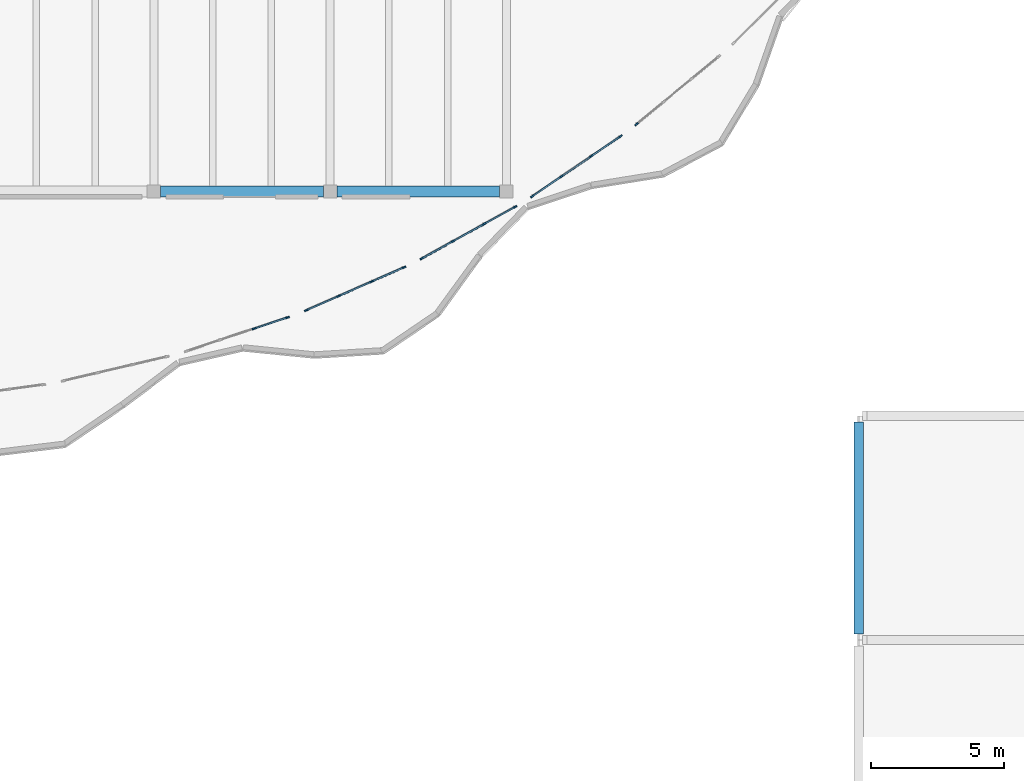
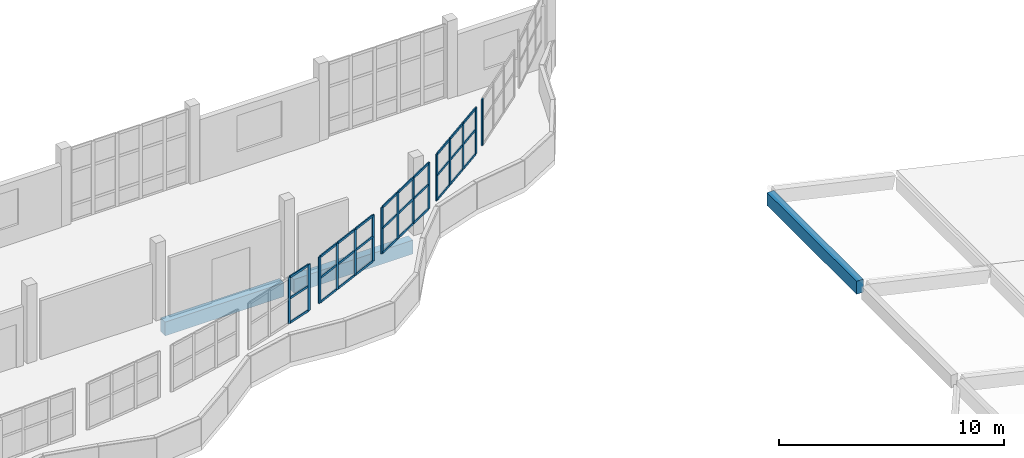
# One storey, part 21 of 47: 45 members, 3 beams, 5 elements without a shape of their own.
"""IFC4 building model written with IfcOpenShell, lengths in metres."""

from ifc_helpers import new_model, si_unit, direction, frame, origin, origin_2d, place, context, subcontext, project, spatial, rectangle, extrude, material, material_profile, profile_set, type_object, element, aggregate, save


model = new_model("IFC4")

# Units and contexts
model_context = context("Model", 3, precision=1e-05, world=origin(), true_north=direction((0.0, 1.0)))
body_context = subcontext(model_context, "Body", "Model", "MODEL_VIEW")
ifc_project = project(units=[si_unit("LENGTHUNIT", "METRE"), si_unit("AREAUNIT", "SQUARE_METRE"), si_unit("VOLUMEUNIT", "CUBIC_METRE"), si_unit("PLANEANGLEUNIT", "RADIAN"), si_unit("MASSUNIT", "GRAM", prefix="KILO")], contexts=[model_context])

# Site, building, storey
site_placement = place(None, origin())
site = spatial("IfcSite", under=ifc_project, at=site_placement, CompositionType="ELEMENT")
building_placement = place(site_placement, origin())
building = spatial("IfcBuilding", under=site, at=building_placement, Name="Qaldarim Faculty of Natural and Applied Sciences", CompositionType="ELEMENT")
storey_placement = place(building_placement, frame((0.0, 0.0, 22.800048828125)))
storey = spatial("IfcBuildingStorey", under=building, at=storey_placement, Name="L05", CompositionType="ELEMENT", Elevation=22.800048828125)

# Beams
ifc_material_1 = material(Name="Concrete C50/60", Category="concrete")
ifc_material_profile_1 = material_profile(ifc_material_1, rectangle(XDim=0.39990234375, YDim=0.75, at=origin_2d()), Name="RC-B400x750")
ifc_profile_set_1 = profile_set([ifc_material_profile_1], Name="Concrete C50/60")
beam_type_1 = type_object("IfcBeamType", Name="LabGirder-RC400x750", PredefinedType="BEAM", material=ifc_profile_set_1)
for number, where, z_axis, x_axis, name in (
    (1, (125.64990234375, 109.199951171875, -0.635009765625), (1.0, 0.0, 0.0), (0.0, 1.0, 0.0), "Beam RC-B400x750 L04 X20-X21/Y14"),
    (2, (132.25, 109.199951171875, -0.635009765625), (1.0, 0.0, 0.0), (0.0, 1.0, 0.0), "Beam RC-B400x750 L04 X21-X22/Y14"),
):
    element("IfcBeam", number, at=place(storey_placement, frame(where, z_axis=z_axis, x_axis=x_axis)), inside=storey, type_object=beam_type_1, Name=name, PredefinedType="BEAM", context=body_context, shape_type="SweptSolid", body=[
        extrude(rectangle(XDim=0.39990234375, YDim=0.75, at=origin_2d()), origin(), (0.0, 0.0, 1.0), 6.10009765625),
    ])

# Curtain wall, members
ifc_material_2 = material(Name="Anodised aluminium AW-6063", Category="aluminium")
curtain_wall_type = type_object("IfcCurtainWallType", Name="CurtainWallSystem-M1400", PredefinedType="USERDEFINED", material=ifc_material_2)
curtain_wall_1_placement = place(storey_placement, origin())
curtain_wall_1 = element("IfcCurtainWall", 3, at=curtain_wall_1_placement, inside=storey, type_object=curtain_wall_type, Name="Curtain wall CW-V4ARC-L05-06", ObjectType="STICK CURTAIN WALL", PredefinedType="USERDEFINED")
ifc_material_profile_2 = material_profile(ifc_material_2, rectangle(XDim=0.06005859375, YDim=0.14990234375, at=origin_2d()), Name="ALU-M60x150")
ifc_profile_set_2 = profile_set([ifc_material_profile_2], Name="Anodised aluminium AW-6063")
member_type_1 = type_object("IfcMemberType", Name="Mullion-ALU60x150", PredefinedType="MULLION", material=ifc_profile_set_2)
member_1_placement = place(storey_placement, frame((129.151611328125, 104.063232421875, 1.449951171875), z_axis=(0.0, 0.0, 1.0), x_axis=(-0.316592858196, 0.94856152259, 0.0)))
member_1 = element("IfcMember", 4, at=member_1_placement, type_object=member_type_1, Name="Mullion 3 of CW-V4ARC-L05-06", PredefinedType="MULLION", context=body_context, shape_type="SweptSolid", body=[
    extrude(rectangle(XDim=0.06005859375, YDim=0.14990234375, at=origin_2d()), origin(), (0.0, 0.0, 1.0), 2.510009765625),
])
member_2_placement = place(storey_placement, frame((130.401611328125, 104.48046875, 1.449951171875), z_axis=(0.0, 0.0, 1.0), x_axis=(-0.316592858196, 0.94856152259, 0.0)))
member_2 = element("IfcMember", 5, at=member_2_placement, type_object=member_type_1, Name="Mullion 4 of CW-V4ARC-L05-06", PredefinedType="MULLION", context=body_context, shape_type="SweptSolid", body=[
    extrude(rectangle(XDim=0.06005859375, YDim=0.14990234375, at=origin_2d()), origin(), (0.0, 0.0, 1.0), 2.510009765625),
])

curtain_wall_2_placement = place(storey_placement, origin())
curtain_wall_2 = element("IfcCurtainWall", 6, at=curtain_wall_2_placement, inside=storey, type_object=curtain_wall_type, Name="Curtain wall CW-V4ARC-L05-08", ObjectType="STICK CURTAIN WALL", PredefinedType="USERDEFINED")
member_3_placement = place(storey_placement, frame((131.112548828125, 104.752197265625, 1.449951171875), z_axis=(0.0, 0.0, 1.0), x_axis=(-0.40269876371, 0.915332565632, 0.0)))
member_3 = element("IfcMember", 7, at=member_3_placement, type_object=member_type_1, Name="Mullion 1 of CW-V4ARC-L05-08", PredefinedType="MULLION", context=body_context, shape_type="SweptSolid", body=[
    extrude(rectangle(XDim=0.06005859375, YDim=0.14990234375, at=origin_2d()), origin(), (0.0, 0.0, 1.0), 2.510009765625),
])
member_4_placement = place(storey_placement, frame((132.320068359375, 105.283203125, 1.449951171875), z_axis=(0.0, 0.0, 1.0), x_axis=(-0.40269876371, 0.915332565632, 0.0)))
member_4 = element("IfcMember", 8, at=member_4_placement, type_object=member_type_1, Name="Mullion 2 of CW-V4ARC-L05-08", PredefinedType="MULLION", context=body_context, shape_type="SweptSolid", body=[
    extrude(rectangle(XDim=0.06005859375, YDim=0.14990234375, at=origin_2d()), origin(), (0.0, 0.0, 1.0), 2.510009765625),
])
member_5_placement = place(storey_placement, frame((133.554931640625, 105.82666015625, 1.449951171875), z_axis=(0.0, 0.0, 1.0), x_axis=(-0.40269876371, 0.915332565632, 0.0)))
member_5 = element("IfcMember", 9, at=member_5_placement, type_object=member_type_1, Name="Mullion 3 of CW-V4ARC-L05-08", PredefinedType="MULLION", context=body_context, shape_type="SweptSolid", body=[
    extrude(rectangle(XDim=0.06005859375, YDim=0.14990234375, at=origin_2d()), origin(), (0.0, 0.0, 1.0), 2.510009765625),
])
member_6_placement = place(storey_placement, frame((134.762451171875, 106.35791015625, 1.449951171875), z_axis=(0.0, 0.0, 1.0), x_axis=(-0.40269876371, 0.915332565632, 0.0)))
member_6 = element("IfcMember", 10, at=member_6_placement, type_object=member_type_1, Name="Mullion 4 of CW-V4ARC-L05-08", PredefinedType="MULLION", context=body_context, shape_type="SweptSolid", body=[
    extrude(rectangle(XDim=0.06005859375, YDim=0.14990234375, at=origin_2d()), origin(), (0.0, 0.0, 1.0), 2.510009765625),
])

curtain_wall_3_placement = place(storey_placement, origin())
curtain_wall_3 = element("IfcCurtainWall", 11, at=curtain_wall_3_placement, inside=storey, type_object=curtain_wall_type, Name="Curtain wall CW-V4ARC-L05-10", ObjectType="STICK CURTAIN WALL", PredefinedType="USERDEFINED")
member_7_placement = place(storey_placement, frame((135.441162109375, 106.694580078125, 1.449951171875), z_axis=(0.0, 0.0, 1.0), x_axis=(-0.484382142552, 0.874856525367, 0.0)))
member_7 = element("IfcMember", 12, at=member_7_placement, type_object=member_type_1, Name="Mullion 1 of CW-V4ARC-L05-10", PredefinedType="MULLION", context=body_context, shape_type="SweptSolid", body=[
    extrude(rectangle(XDim=0.06005859375, YDim=0.14990234375, at=origin_2d()), origin(), (0.0, 0.0, 1.0), 2.510009765625),
])
member_8_placement = place(storey_placement, frame((136.594970703125, 107.333251953125, 1.449951171875), z_axis=(0.0, 0.0, 1.0), x_axis=(-0.484382142552, 0.874856525367, 0.0)))
member_8 = element("IfcMember", 13, at=member_8_placement, type_object=member_type_1, Name="Mullion 2 of CW-V4ARC-L05-10", PredefinedType="MULLION", context=body_context, shape_type="SweptSolid", body=[
    extrude(rectangle(XDim=0.06005859375, YDim=0.14990234375, at=origin_2d()), origin(), (0.0, 0.0, 1.0), 2.510009765625),
])
member_9_placement = place(storey_placement, frame((137.77490234375, 107.98681640625, 1.449951171875), z_axis=(0.0, 0.0, 1.0), x_axis=(-0.484382142552, 0.874856525367, 0.0)))
member_9 = element("IfcMember", 14, at=member_9_placement, type_object=member_type_1, Name="Mullion 3 of CW-V4ARC-L05-10", PredefinedType="MULLION", context=body_context, shape_type="SweptSolid", body=[
    extrude(rectangle(XDim=0.06005859375, YDim=0.14990234375, at=origin_2d()), origin(), (0.0, 0.0, 1.0), 2.510009765625),
])
member_10_placement = place(storey_placement, frame((138.9287109375, 108.62548828125, 1.449951171875), z_axis=(0.0, 0.0, 1.0), x_axis=(-0.484382142552, 0.874856525367, 0.0)))
member_10 = element("IfcMember", 15, at=member_10_placement, type_object=member_type_1, Name="Mullion 4 of CW-V4ARC-L05-10", PredefinedType="MULLION", context=body_context, shape_type="SweptSolid", body=[
    extrude(rectangle(XDim=0.06005859375, YDim=0.14990234375, at=origin_2d()), origin(), (0.0, 0.0, 1.0), 2.510009765625),
])

curtain_wall_4_placement = place(storey_placement, origin())
curtain_wall_4 = element("IfcCurtainWall", 16, at=curtain_wall_4_placement, inside=storey, type_object=curtain_wall_type, Name="Curtain wall CW-V4ARC-L05-12", ObjectType="STICK CURTAIN WALL", PredefinedType="USERDEFINED")
member_11_placement = place(storey_placement, frame((139.57470703125, 109.02197265625, 1.449951171875), z_axis=(0.0, 0.0, 1.0), x_axis=(-0.562372049186, 0.826884319778, 0.0)))
member_11 = element("IfcMember", 17, at=member_11_placement, type_object=member_type_1, Name="Mullion 1 of CW-V4ARC-L05-12", PredefinedType="MULLION", context=body_context, shape_type="SweptSolid", body=[
    extrude(rectangle(XDim=0.06005859375, YDim=0.14990234375, at=origin_2d()), origin(), (0.0, 0.0, 1.0), 2.510009765625),
])
member_12_placement = place(storey_placement, frame((140.6650390625, 109.76318359375, 1.449951171875), z_axis=(0.0, 0.0, 1.0), x_axis=(-0.562372049186, 0.826884319778, 0.0)))
member_12 = element("IfcMember", 18, at=member_12_placement, type_object=member_type_1, Name="Mullion 2 of CW-V4ARC-L05-12", PredefinedType="MULLION", context=body_context, shape_type="SweptSolid", body=[
    extrude(rectangle(XDim=0.06005859375, YDim=0.14990234375, at=origin_2d()), origin(), (0.0, 0.0, 1.0), 2.510009765625),
])
member_13_placement = place(storey_placement, frame((141.780029296875, 110.521728515625, 1.449951171875), z_axis=(0.0, 0.0, 1.0), x_axis=(-0.562372049186, 0.826884319778, 0.0)))
member_13 = element("IfcMember", 19, at=member_13_placement, type_object=member_type_1, Name="Mullion 3 of CW-V4ARC-L05-12", PredefinedType="MULLION", context=body_context, shape_type="SweptSolid", body=[
    extrude(rectangle(XDim=0.06005859375, YDim=0.14990234375, at=origin_2d()), origin(), (0.0, 0.0, 1.0), 2.510009765625),
])
member_14_placement = place(storey_placement, frame((142.8701171875, 111.26318359375, 1.449951171875), z_axis=(0.0, 0.0, 1.0), x_axis=(-0.562372049186, 0.826884319778, 0.0)))
member_14 = element("IfcMember", 20, at=member_14_placement, type_object=member_type_1, Name="Mullion 4 of CW-V4ARC-L05-12", PredefinedType="MULLION", context=body_context, shape_type="SweptSolid", body=[
    extrude(rectangle(XDim=0.06005859375, YDim=0.14990234375, at=origin_2d()), origin(), (0.0, 0.0, 1.0), 2.510009765625),
])

# Curtain wall, member
curtain_wall_5_placement = place(storey_placement, origin())
curtain_wall_5 = element("IfcCurtainWall", 21, at=curtain_wall_5_placement, inside=storey, type_object=curtain_wall_type, Name="Curtain wall CW-V4ARC-L05-14", ObjectType="STICK CURTAIN WALL", PredefinedType="USERDEFINED")
member_15_placement = place(storey_placement, frame((143.478271484375, 111.718994140625, 1.449951171875), z_axis=(0.0, 0.0, 1.0), x_axis=(-0.635930067271, 0.771746687418, 0.0)))
member_15 = element("IfcMember", 22, at=member_15_placement, type_object=member_type_1, Name="Mullion 1 of CW-V4ARC-L05-14", PredefinedType="MULLION", context=body_context, shape_type="SweptSolid", body=[
    extrude(rectangle(XDim=0.06005859375, YDim=0.14990234375, at=origin_2d()), origin(), (0.0, 0.0, 1.0), 2.510009765625),
])
aggregate(curtain_wall_5, [member_15])

# Beam
ifc_material_3 = material(Name="Concrete C40/50", Category="concrete")
ifc_material_profile_3 = material_profile(ifc_material_3, rectangle(XDim=0.35009765625, YDim=0.699951171875, at=origin_2d()), Name="RC-B350x700")
ifc_profile_set_3 = profile_set([ifc_material_profile_3], Name="Concrete C40/50")
beam_type_2 = type_object("IfcBeamType", Name="PrimaryGirder-RC350x700", PredefinedType="BEAM", material=ifc_profile_set_3)
beam_placement = place(storey_placement, frame((151.800048828125, 92.625, 2.43505859375), z_axis=(0.0, 0.999999207337, -0.001259096751), x_axis=(-1.0, 0.0, 0.0)))
element("IfcBeam", 23, at=beam_placement, inside=storey, type_object=beam_type_2, Name="Commons roof ridge/eave beam X24/Y12-Y13", PredefinedType="BEAM", context=body_context, shape_type="SweptSolid", body=[
    extrude(rectangle(XDim=0.35009765625, YDim=0.699951171875, at=origin_2d()), origin(), (0.0, 0.0, 1.0), 7.949951171875),
])

# Member
ifc_material_profile_4 = material_profile(ifc_material_2, rectangle(XDim=0.06005859375, YDim=0.1201171875, at=origin_2d()), Name="ALU-T60x120")
ifc_profile_set_4 = profile_set([ifc_material_profile_4], Name="Anodised aluminium AW-6063")
member_type_2 = type_object("IfcMemberType", Name="Transom-ALU60x120", PredefinedType="USERDEFINED", material=ifc_profile_set_4)
member_16_placement = place(storey_placement, frame((129.18017578125, 104.07275390625, 1.47998046875), z_axis=(0.948547315421, 0.31663542191, 0.0), x_axis=(-0.31663542191, 0.948547315421, 0.0)))
member_16 = element("IfcMember", 24, at=member_16_placement, type_object=member_type_2, Name="Transom 3-1 of CW-V4ARC-L05-06", ObjectType="TRANSOM", PredefinedType="USERDEFINED", context=body_context, shape_type="SweptSolid", body=[
    extrude(rectangle(XDim=0.06005859375, YDim=0.1201171875, at=origin_2d()), origin(), (0.0, 0.0, 1.0), 1.257568359375),
])

member_17_placement = place(storey_placement, frame((129.18017578125, 104.07275390625, 2.800048828125), z_axis=(0.948547315421, 0.31663542191, 0.0), x_axis=(-0.31663542191, 0.948547315421, 0.0)))
member_17 = element("IfcMember", 25, at=member_17_placement, type_object=member_type_2, Name="Transom 3-2 of CW-V4ARC-L05-06", ObjectType="TRANSOM", PredefinedType="USERDEFINED", context=body_context, shape_type="SweptSolid", body=[
    extrude(rectangle(XDim=0.06005859375, YDim=0.1201171875, at=origin_2d()), origin(), (0.0, 0.0, 1.0), 1.257568359375),
])

member_18_placement = place(storey_placement, frame((129.18017578125, 104.07275390625, 3.929931640625), z_axis=(0.948547315421, 0.31663542191, 0.0), x_axis=(-0.31663542191, 0.948547315421, 0.0)))
member_18 = element("IfcMember", 26, at=member_18_placement, type_object=member_type_2, Name="Transom 3-3 of CW-V4ARC-L05-06", ObjectType="TRANSOM", PredefinedType="USERDEFINED", context=body_context, shape_type="SweptSolid", body=[
    extrude(rectangle(XDim=0.06005859375, YDim=0.1201171875, at=origin_2d()), origin(), (0.0, 0.0, 1.0), 1.257568359375),
])

aggregate(curtain_wall_1, [member_1, member_2, member_16, member_17, member_18])

member_19_placement = place(storey_placement, frame((131.139892578125, 104.76416015625, 1.47998046875), z_axis=(0.915332184978, 0.402699628934, 0.0), x_axis=(-0.402699628934, 0.915332184978, 0.0)))
member_19 = element("IfcMember", 27, at=member_19_placement, type_object=member_type_2, Name="Transom 1-1 of CW-V4ARC-L05-08", ObjectType="TRANSOM", PredefinedType="USERDEFINED", context=body_context, shape_type="SweptSolid", body=[
    extrude(rectangle(XDim=0.06005859375, YDim=0.1201171875, at=origin_2d()), origin(), (0.0, 0.0, 1.0), 1.25927734375),
])

member_20_placement = place(storey_placement, frame((131.139892578125, 104.76416015625, 2.800048828125), z_axis=(0.915332184978, 0.402699628934, 0.0), x_axis=(-0.402699628934, 0.915332184978, 0.0)))
member_20 = element("IfcMember", 28, at=member_20_placement, type_object=member_type_2, Name="Transom 1-2 of CW-V4ARC-L05-08", ObjectType="TRANSOM", PredefinedType="USERDEFINED", context=body_context, shape_type="SweptSolid", body=[
    extrude(rectangle(XDim=0.06005859375, YDim=0.1201171875, at=origin_2d()), origin(), (0.0, 0.0, 1.0), 1.25927734375),
])

member_21_placement = place(storey_placement, frame((131.139892578125, 104.76416015625, 3.929931640625), z_axis=(0.915332184978, 0.402699628934, 0.0), x_axis=(-0.402699628934, 0.915332184978, 0.0)))
member_21 = element("IfcMember", 29, at=member_21_placement, type_object=member_type_2, Name="Transom 1-3 of CW-V4ARC-L05-08", ObjectType="TRANSOM", PredefinedType="USERDEFINED", context=body_context, shape_type="SweptSolid", body=[
    extrude(rectangle(XDim=0.06005859375, YDim=0.1201171875, at=origin_2d()), origin(), (0.0, 0.0, 1.0), 1.25927734375),
])

member_22_placement = place(storey_placement, frame((132.347412109375, 105.29541015625, 1.47998046875), z_axis=(0.915312240394, 0.402744959726, 0.0), x_axis=(-0.402744959726, 0.915312240394, 0.0)))
member_22 = element("IfcMember", 30, at=member_22_placement, type_object=member_type_2, Name="Transom 2-1 of CW-V4ARC-L05-08", ObjectType="TRANSOM", PredefinedType="USERDEFINED", context=body_context, shape_type="SweptSolid", body=[
    extrude(rectangle(XDim=0.06005859375, YDim=0.1201171875, at=origin_2d()), origin(), (0.0, 0.0, 1.0), 1.289306640625),
])

member_23_placement = place(storey_placement, frame((132.347412109375, 105.29541015625, 2.800048828125), z_axis=(0.915312240394, 0.402744959726, 0.0), x_axis=(-0.402744959726, 0.915312240394, 0.0)))
member_23 = element("IfcMember", 31, at=member_23_placement, type_object=member_type_2, Name="Transom 2-2 of CW-V4ARC-L05-08", ObjectType="TRANSOM", PredefinedType="USERDEFINED", context=body_context, shape_type="SweptSolid", body=[
    extrude(rectangle(XDim=0.06005859375, YDim=0.1201171875, at=origin_2d()), origin(), (0.0, 0.0, 1.0), 1.289306640625),
])

member_24_placement = place(storey_placement, frame((132.347412109375, 105.29541015625, 3.929931640625), z_axis=(0.915312240394, 0.402744959726, 0.0), x_axis=(-0.402744959726, 0.915312240394, 0.0)))
member_24 = element("IfcMember", 32, at=member_24_placement, type_object=member_type_2, Name="Transom 2-3 of CW-V4ARC-L05-08", ObjectType="TRANSOM", PredefinedType="USERDEFINED", context=body_context, shape_type="SweptSolid", body=[
    extrude(rectangle(XDim=0.06005859375, YDim=0.1201171875, at=origin_2d()), origin(), (0.0, 0.0, 1.0), 1.289306640625),
])

member_25_placement = place(storey_placement, frame((133.58251953125, 105.838623046875, 1.47998046875), z_axis=(0.915332184978, 0.402699628934, 0.0), x_axis=(-0.402699628934, 0.915332184978, 0.0)))
member_25 = element("IfcMember", 33, at=member_25_placement, type_object=member_type_2, Name="Transom 3-1 of CW-V4ARC-L05-08", ObjectType="TRANSOM", PredefinedType="USERDEFINED", context=body_context, shape_type="SweptSolid", body=[
    extrude(rectangle(XDim=0.06005859375, YDim=0.1201171875, at=origin_2d()), origin(), (0.0, 0.0, 1.0), 1.25927734375),
])

member_26_placement = place(storey_placement, frame((133.58251953125, 105.838623046875, 2.800048828125), z_axis=(0.915332184978, 0.402699628934, 0.0), x_axis=(-0.402699628934, 0.915332184978, 0.0)))
member_26 = element("IfcMember", 34, at=member_26_placement, type_object=member_type_2, Name="Transom 3-2 of CW-V4ARC-L05-08", ObjectType="TRANSOM", PredefinedType="USERDEFINED", context=body_context, shape_type="SweptSolid", body=[
    extrude(rectangle(XDim=0.06005859375, YDim=0.1201171875, at=origin_2d()), origin(), (0.0, 0.0, 1.0), 1.25927734375),
])

member_27_placement = place(storey_placement, frame((133.58251953125, 105.838623046875, 3.929931640625), z_axis=(0.915332184978, 0.402699628934, 0.0), x_axis=(-0.402699628934, 0.915332184978, 0.0)))
member_27 = element("IfcMember", 35, at=member_27_placement, type_object=member_type_2, Name="Transom 3-3 of CW-V4ARC-L05-08", ObjectType="TRANSOM", PredefinedType="USERDEFINED", context=body_context, shape_type="SweptSolid", body=[
    extrude(rectangle(XDim=0.06005859375, YDim=0.1201171875, at=origin_2d()), origin(), (0.0, 0.0, 1.0), 1.25927734375),
])

aggregate(curtain_wall_2, [member_3, member_4, member_5, member_6, member_19, member_20, member_21, member_22, member_23, member_24, member_25, member_26, member_27])

member_28_placement = place(storey_placement, frame((135.467529296875, 106.708984375, 1.47998046875), z_axis=(0.874824232123, 0.484440463721, 0.0), x_axis=(-0.484440463721, 0.874824232123, 0.0)))
member_28 = element("IfcMember", 36, at=member_28_placement, type_object=member_type_2, Name="Transom 1-1 of CW-V4ARC-L05-10", ObjectType="TRANSOM", PredefinedType="USERDEFINED", context=body_context, shape_type="SweptSolid", body=[
    extrude(rectangle(XDim=0.06005859375, YDim=0.1201171875, at=origin_2d()), origin(), (0.0, 0.0, 1.0), 1.2587890625),
])

member_29_placement = place(storey_placement, frame((135.467529296875, 106.708984375, 2.800048828125), z_axis=(0.874824232123, 0.484440463721, 0.0), x_axis=(-0.484440463721, 0.874824232123, 0.0)))
member_29 = element("IfcMember", 37, at=member_29_placement, type_object=member_type_2, Name="Transom 1-2 of CW-V4ARC-L05-10", ObjectType="TRANSOM", PredefinedType="USERDEFINED", context=body_context, shape_type="SweptSolid", body=[
    extrude(rectangle(XDim=0.06005859375, YDim=0.1201171875, at=origin_2d()), origin(), (0.0, 0.0, 1.0), 1.2587890625),
])

member_30_placement = place(storey_placement, frame((135.467529296875, 106.708984375, 3.929931640625), z_axis=(0.874824232123, 0.484440463721, 0.0), x_axis=(-0.484440463721, 0.874824232123, 0.0)))
member_30 = element("IfcMember", 38, at=member_30_placement, type_object=member_type_2, Name="Transom 1-3 of CW-V4ARC-L05-10", ObjectType="TRANSOM", PredefinedType="USERDEFINED", context=body_context, shape_type="SweptSolid", body=[
    extrude(rectangle(XDim=0.06005859375, YDim=0.1201171875, at=origin_2d()), origin(), (0.0, 0.0, 1.0), 1.2587890625),
])

member_31_placement = place(storey_placement, frame((136.62109375, 107.347900390625, 1.47998046875), z_axis=(0.874888908456, 0.484323649908, 0.0), x_axis=(-0.484323649908, 0.874888908456, 0.0)))
member_31 = element("IfcMember", 39, at=member_31_placement, type_object=member_type_2, Name="Transom 2-1 of CW-V4ARC-L05-10", ObjectType="TRANSOM", PredefinedType="USERDEFINED", context=body_context, shape_type="SweptSolid", body=[
    extrude(rectangle(XDim=0.06005859375, YDim=0.1201171875, at=origin_2d()), origin(), (0.0, 0.0, 1.0), 1.2890625),
])

member_32_placement = place(storey_placement, frame((136.62109375, 107.347900390625, 2.800048828125), z_axis=(0.874888908456, 0.484323649908, 0.0), x_axis=(-0.484323649908, 0.874888908456, 0.0)))
member_32 = element("IfcMember", 40, at=member_32_placement, type_object=member_type_2, Name="Transom 2-2 of CW-V4ARC-L05-10", ObjectType="TRANSOM", PredefinedType="USERDEFINED", context=body_context, shape_type="SweptSolid", body=[
    extrude(rectangle(XDim=0.06005859375, YDim=0.1201171875, at=origin_2d()), origin(), (0.0, 0.0, 1.0), 1.2890625),
])

member_33_placement = place(storey_placement, frame((136.62109375, 107.347900390625, 3.929931640625), z_axis=(0.874888908456, 0.484323649908, 0.0), x_axis=(-0.484323649908, 0.874888908456, 0.0)))
member_33 = element("IfcMember", 41, at=member_33_placement, type_object=member_type_2, Name="Transom 2-3 of CW-V4ARC-L05-10", ObjectType="TRANSOM", PredefinedType="USERDEFINED", context=body_context, shape_type="SweptSolid", body=[
    extrude(rectangle(XDim=0.06005859375, YDim=0.1201171875, at=origin_2d()), origin(), (0.0, 0.0, 1.0), 1.2890625),
])

member_34_placement = place(storey_placement, frame((137.80126953125, 108.001220703125, 1.47998046875), z_axis=(0.874906415399, 0.484292023776, 0.0), x_axis=(-0.484292023776, 0.874906415399, 0.0)))
member_34 = element("IfcMember", 42, at=member_34_placement, type_object=member_type_2, Name="Transom 3-1 of CW-V4ARC-L05-10", ObjectType="TRANSOM", PredefinedType="USERDEFINED", context=body_context, shape_type="SweptSolid", body=[
    extrude(rectangle(XDim=0.06005859375, YDim=0.1201171875, at=origin_2d()), origin(), (0.0, 0.0, 1.0), 1.2587890625),
])

member_35_placement = place(storey_placement, frame((137.80126953125, 108.001220703125, 2.800048828125), z_axis=(0.874906415399, 0.484292023776, 0.0), x_axis=(-0.484292023776, 0.874906415399, 0.0)))
member_35 = element("IfcMember", 43, at=member_35_placement, type_object=member_type_2, Name="Transom 3-2 of CW-V4ARC-L05-10", ObjectType="TRANSOM", PredefinedType="USERDEFINED", context=body_context, shape_type="SweptSolid", body=[
    extrude(rectangle(XDim=0.06005859375, YDim=0.1201171875, at=origin_2d()), origin(), (0.0, 0.0, 1.0), 1.2587890625),
])

member_36_placement = place(storey_placement, frame((137.80126953125, 108.001220703125, 3.929931640625), z_axis=(0.874906415399, 0.484292023776, 0.0), x_axis=(-0.484292023776, 0.874906415399, 0.0)))
member_36 = element("IfcMember", 44, at=member_36_placement, type_object=member_type_2, Name="Transom 3-3 of CW-V4ARC-L05-10", ObjectType="TRANSOM", PredefinedType="USERDEFINED", context=body_context, shape_type="SweptSolid", body=[
    extrude(rectangle(XDim=0.06005859375, YDim=0.1201171875, at=origin_2d()), origin(), (0.0, 0.0, 1.0), 1.2587890625),
])

aggregate(curtain_wall_3, [member_7, member_8, member_9, member_10, member_28, member_29, member_30, member_31, member_32, member_33, member_34, member_35, member_36])

member_37_placement = place(storey_placement, frame((139.599609375, 109.038818359375, 1.47998046875), z_axis=(0.826850717862, 0.562421452624, 0.0), x_axis=(-0.562421452624, 0.826850717862, 0.0)))
member_37 = element("IfcMember", 45, at=member_37_placement, type_object=member_type_2, Name="Transom 1-1 of CW-V4ARC-L05-12", ObjectType="TRANSOM", PredefinedType="USERDEFINED", context=body_context, shape_type="SweptSolid", body=[
    extrude(rectangle(XDim=0.06005859375, YDim=0.1201171875, at=origin_2d()), origin(), (0.0, 0.0, 1.0), 1.25830078125),
])

member_38_placement = place(storey_placement, frame((139.599609375, 109.038818359375, 2.800048828125), z_axis=(0.826850717862, 0.562421452624, 0.0), x_axis=(-0.562421452624, 0.826850717862, 0.0)))
member_38 = element("IfcMember", 46, at=member_38_placement, type_object=member_type_2, Name="Transom 1-2 of CW-V4ARC-L05-12", ObjectType="TRANSOM", PredefinedType="USERDEFINED", context=body_context, shape_type="SweptSolid", body=[
    extrude(rectangle(XDim=0.06005859375, YDim=0.1201171875, at=origin_2d()), origin(), (0.0, 0.0, 1.0), 1.25830078125),
])

member_39_placement = place(storey_placement, frame((139.599609375, 109.038818359375, 3.929931640625), z_axis=(0.826850717862, 0.562421452624, 0.0), x_axis=(-0.562421452624, 0.826850717862, 0.0)))
member_39 = element("IfcMember", 47, at=member_39_placement, type_object=member_type_2, Name="Transom 1-3 of CW-V4ARC-L05-12", ObjectType="TRANSOM", PredefinedType="USERDEFINED", context=body_context, shape_type="SweptSolid", body=[
    extrude(rectangle(XDim=0.06005859375, YDim=0.1201171875, at=origin_2d()), origin(), (0.0, 0.0, 1.0), 1.25830078125),
])

member_40_placement = place(storey_placement, frame((140.689697265625, 109.7802734375, 1.47998046875), z_axis=(0.826884209123, 0.562372211887, 0.0), x_axis=(-0.562372211887, 0.826884209123, 0.0)))
member_40 = element("IfcMember", 48, at=member_40_placement, type_object=member_type_2, Name="Transom 2-1 of CW-V4ARC-L05-12", ObjectType="TRANSOM", PredefinedType="USERDEFINED", context=body_context, shape_type="SweptSolid", body=[
    extrude(rectangle(XDim=0.06005859375, YDim=0.1201171875, at=origin_2d()), origin(), (0.0, 0.0, 1.0), 1.28857421875),
])

member_41_placement = place(storey_placement, frame((140.689697265625, 109.7802734375, 2.800048828125), z_axis=(0.826884209123, 0.562372211887, 0.0), x_axis=(-0.562372211887, 0.826884209123, 0.0)))
member_41 = element("IfcMember", 49, at=member_41_placement, type_object=member_type_2, Name="Transom 2-2 of CW-V4ARC-L05-12", ObjectType="TRANSOM", PredefinedType="USERDEFINED", context=body_context, shape_type="SweptSolid", body=[
    extrude(rectangle(XDim=0.06005859375, YDim=0.1201171875, at=origin_2d()), origin(), (0.0, 0.0, 1.0), 1.28857421875),
])

member_42_placement = place(storey_placement, frame((140.689697265625, 109.7802734375, 3.929931640625), z_axis=(0.826884209123, 0.562372211887, 0.0), x_axis=(-0.562372211887, 0.826884209123, 0.0)))
member_42 = element("IfcMember", 50, at=member_42_placement, type_object=member_type_2, Name="Transom 2-3 of CW-V4ARC-L05-12", ObjectType="TRANSOM", PredefinedType="USERDEFINED", context=body_context, shape_type="SweptSolid", body=[
    extrude(rectangle(XDim=0.06005859375, YDim=0.1201171875, at=origin_2d()), origin(), (0.0, 0.0, 1.0), 1.28857421875),
])

member_43_placement = place(storey_placement, frame((141.8046875, 110.53857421875, 1.47998046875), z_axis=(0.826912070455, 0.562331243784, 0.0), x_axis=(-0.562331243784, 0.826912070455, 0.0)))
member_43 = element("IfcMember", 51, at=member_43_placement, type_object=member_type_2, Name="Transom 3-1 of CW-V4ARC-L05-12", ObjectType="TRANSOM", PredefinedType="USERDEFINED", context=body_context, shape_type="SweptSolid", body=[
    extrude(rectangle(XDim=0.06005859375, YDim=0.1201171875, at=origin_2d()), origin(), (0.0, 0.0, 1.0), 1.258544921875),
])

member_44_placement = place(storey_placement, frame((141.8046875, 110.53857421875, 2.800048828125), z_axis=(0.826912070455, 0.562331243784, 0.0), x_axis=(-0.562331243784, 0.826912070455, 0.0)))
member_44 = element("IfcMember", 52, at=member_44_placement, type_object=member_type_2, Name="Transom 3-2 of CW-V4ARC-L05-12", ObjectType="TRANSOM", PredefinedType="USERDEFINED", context=body_context, shape_type="SweptSolid", body=[
    extrude(rectangle(XDim=0.06005859375, YDim=0.1201171875, at=origin_2d()), origin(), (0.0, 0.0, 1.0), 1.258544921875),
])

member_45_placement = place(storey_placement, frame((141.8046875, 110.53857421875, 3.929931640625), z_axis=(0.826912070455, 0.562331243784, 0.0), x_axis=(-0.562331243784, 0.826912070455, 0.0)))
member_45 = element("IfcMember", 53, at=member_45_placement, type_object=member_type_2, Name="Transom 3-3 of CW-V4ARC-L05-12", ObjectType="TRANSOM", PredefinedType="USERDEFINED", context=body_context, shape_type="SweptSolid", body=[
    extrude(rectangle(XDim=0.06005859375, YDim=0.1201171875, at=origin_2d()), origin(), (0.0, 0.0, 1.0), 1.258544921875),
])

aggregate(curtain_wall_4, [member_11, member_12, member_13, member_14, member_37, member_38, member_39, member_40, member_41, member_42, member_43, member_44, member_45])

save(model, "model.ifc")
